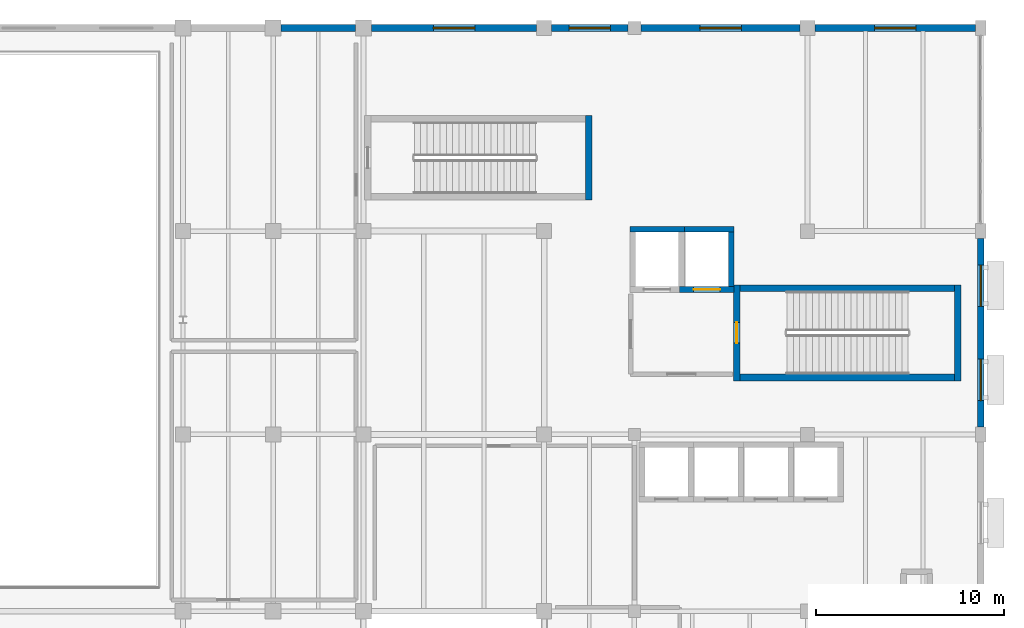
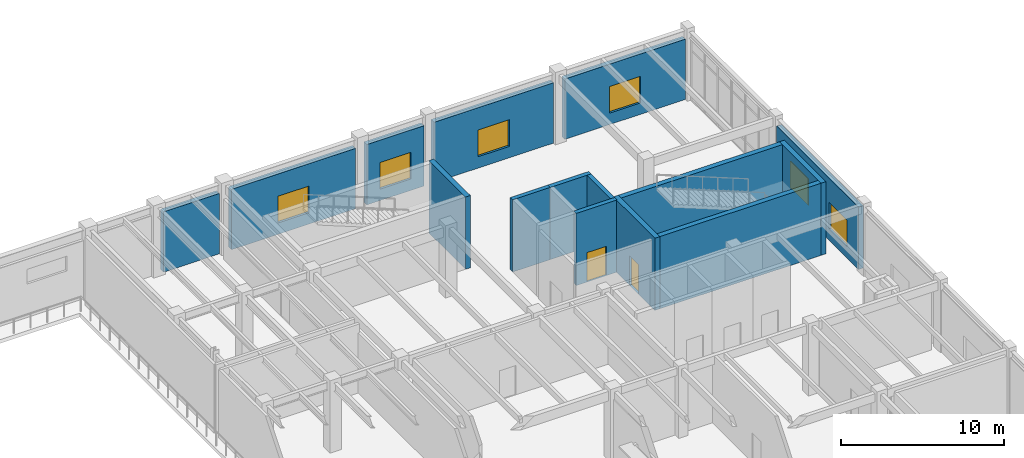
# One storey, part 55 of 72: 15 walls, 6 windows, 2 doors, 8 openings.
"""IFC4 building model written with IfcOpenShell, lengths in metres."""

from ifc_helpers import new_model, si_unit, direction, frame, frame_2d, origin, place, context, subcontext, project, spatial, rectangle, extrude, material, layer, layer_set, type_object, element, fill, save


model = new_model("IFC4")

# Units and contexts
model_context = context("Model", 3, precision=1e-05, world=origin(), true_north=direction((0.0, 1.0)))
body_context = subcontext(model_context, "Body", "Model", "MODEL_VIEW")
ifc_project = project(units=[si_unit("LENGTHUNIT", "METRE"), si_unit("AREAUNIT", "SQUARE_METRE"), si_unit("VOLUMEUNIT", "CUBIC_METRE"), si_unit("PLANEANGLEUNIT", "RADIAN"), si_unit("MASSUNIT", "GRAM", prefix="KILO")], contexts=[model_context])

# Site, building, storey
site_placement = place(None, origin())
site = spatial("IfcSite", under=ifc_project, at=site_placement, CompositionType="ELEMENT")
building_placement = place(site_placement, origin())
building = spatial("IfcBuilding", under=site, at=building_placement, Name="Veldera Park Congress Hotel", CompositionType="ELEMENT")
storey_placement = place(building_placement, frame((0.0, 0.0, 5.39990234375)))
storey = spatial("IfcBuildingStorey", under=building, at=storey_placement, Name="L01", CompositionType="ELEMENT", Elevation=5.39990234375)

# Wall
ifc_material_1 = material(Name="Architectural Sandstone Cladding (ASTM C616)", Category="masonry")
ifc_layer_1 = layer(ifc_material_1, 0.360107421875)
ifc_layer_set_1 = layer_set([ifc_layer_1], Name="Architectural Sandstone Cladding (ASTM C616)")
wall_type_1 = type_object("IfcWallType", Name="EW-STONE360", PredefinedType="STANDARD", material=ifc_layer_set_1)
wall_1_placement = place(storey_placement, frame((50.777099609375, 58.0, 0.0), z_axis=(0.0, 0.0, 1.0), x_axis=(-1.0, 0.0, 0.0)))
element("IfcWall", 1, at=wall_1_placement, inside=storey, type_object=wall_type_1, Name="L01 Exterior Wall EW3-L01-0060", PredefinedType="STANDARD", context=body_context, shape_type="SweptSolid", body=[
    extrude(rectangle(XDim=3.9541015625, YDim=0.360107421875, at=frame_2d((1.97705078125, 0.0))), origin(), (0.0, 0.0, 1.0), 4.51318359375),
])

# Wall, openings, windows
wall_2_placement = place(storey_placement, frame((84.0, 36.798095703125, 0.0), z_axis=(0.0, 0.0, 1.0), x_axis=(0.0, 1.0, 0.0)))
wall_2 = element("IfcWall", 2, at=wall_2_placement, inside=storey, type_object=wall_type_1, Name="L01 Exterior Wall EW3-L01-0155", PredefinedType="STANDARD", context=body_context, shape_type="SweptSolid", body=[
    extrude(rectangle(XDim=10.00390625, YDim=0.360107421875, at=frame_2d((5.001953125, 0.0))), origin(), (0.0, 0.0, 1.0), 4.662109375),
])
opening_1_placement = place(wall_2_placement, frame((1.40087890625, 0.0, 0.85009765625)))
opening_1 = element("IfcOpeningElement", 3, at=opening_1_placement, cuts=wall_2, Name="Opening WIN-2200", PredefinedType="OPENING", context=body_context, shape_type="SweptSolid", body=[
    extrude(rectangle(XDim=2.199951171875, YDim=2.0, at=frame_2d((1.10009765625, 1.0))), frame((0.0, 0.192138671875, 0.0), z_axis=(0.0, -1.0, 0.0), x_axis=(1.0, 0.0, 0.0)), (0.0, 0.0, 1.0), 0.384033203125),
])
opening_2_placement = place(wall_2_placement, frame((6.403076171875, 0.0, 0.85009765625)))
opening_2 = element("IfcOpeningElement", 4, at=opening_2_placement, cuts=wall_2, Name="Opening WIN-2200", PredefinedType="OPENING", context=body_context, shape_type="SweptSolid", body=[
    extrude(rectangle(XDim=2.199951171875, YDim=2.0, at=frame_2d((1.10009765625, 1.0))), frame((0.0, 0.192138671875, 0.0), z_axis=(0.0, -1.0, 0.0), x_axis=(1.0, 0.0, 0.0)), (0.0, 0.0, 1.0), 0.384033203125),
])
ifc_material_2 = material(Name="Low-E Triple Insulating Glass Unit (SHGC 0.22)", Category="glass")
window_type = type_object("IfcWindowType", Name="WIN-2200", PartitioningType="DOUBLE_PANEL_VERTICAL", PredefinedType="WINDOW", material=ifc_material_2)
window_1_placement = place(opening_1_placement, origin())
window_1 = element("IfcWindow", 5, at=window_1_placement, inside=storey, type_object=window_type, Name="L01 Window WIN-2200 160", OverallHeight=2.0, OverallWidth=2.199951171875, PartitioningType="DOUBLE_PANEL_VERTICAL", PredefinedType="WINDOW", context=body_context, shape_type="SweptSolid", body=[
    extrude(rectangle(XDim=2.199951171875, YDim=2.0, at=frame_2d((1.10009765625, 1.0))), frame((0.0, 0.030029296875, 0.0), z_axis=(0.0, -1.0, 0.0), x_axis=(1.0, 0.0, 0.0)), (0.0, 0.0, 1.0), 0.06005859375),
])
fill(opening_1, window_1)
window_2_placement = place(opening_2_placement, origin())
window_2 = element("IfcWindow", 6, at=window_2_placement, inside=storey, type_object=window_type, Name="L01 Window WIN-2200 161", OverallHeight=2.0, OverallWidth=2.199951171875, PartitioningType="DOUBLE_PANEL_VERTICAL", PredefinedType="WINDOW", context=body_context, shape_type="SweptSolid", body=[
    extrude(rectangle(XDim=2.199951171875, YDim=2.0, at=frame_2d((1.10009765625, 1.0))), frame((0.0, 0.030029296875, 0.0), z_axis=(0.0, -1.0, 0.0), x_axis=(1.0, 0.0, 0.0)), (0.0, 0.0, 1.0), 0.06005859375),
])
fill(opening_2, window_2)

# Wall, opening, window
wall_3_placement = place(storey_placement, frame((83.72705078125, 58.0, 0.0), z_axis=(0.0, 0.0, 1.0), x_axis=(-1.0, 0.0, 0.0)))
wall_3 = element("IfcWall", 7, at=wall_3_placement, inside=storey, type_object=wall_type_1, Name="L01 Exterior Wall EW3-L01-0156", PredefinedType="STANDARD", context=body_context, shape_type="SweptSolid", body=[
    extrude(rectangle(XDim=8.529052734375, YDim=0.360107421875, at=frame_2d((4.2646484375, 0.0))), origin(), (0.0, 0.0, 1.0), 4.51318359375),
])
opening_3_placement = place(wall_3_placement, frame((3.16455078125, 0.0, 0.85009765625)))
opening_3 = element("IfcOpeningElement", 8, at=opening_3_placement, cuts=wall_3, Name="Opening WIN-2200", PredefinedType="OPENING", context=body_context, shape_type="SweptSolid", body=[
    extrude(rectangle(XDim=2.199951171875, YDim=2.0, at=frame_2d((1.10009765625, 1.0))), frame((0.0, 0.192138671875, 0.0), z_axis=(0.0, -1.0, 0.0), x_axis=(1.0, 0.0, 0.0)), (0.0, 0.0, 1.0), 0.384033203125),
])
window_3_placement = place(opening_3_placement, origin())
window_3 = element("IfcWindow", 9, at=window_3_placement, inside=storey, type_object=window_type, Name="L01 Window WIN-2200 162", OverallHeight=2.0, OverallWidth=2.199951171875, PartitioningType="DOUBLE_PANEL_VERTICAL", PredefinedType="WINDOW", context=body_context, shape_type="SweptSolid", body=[
    extrude(rectangle(XDim=2.199951171875, YDim=2.0, at=frame_2d((1.10009765625, 1.0))), frame((0.0, 0.030029296875, 0.0), z_axis=(0.0, -1.0, 0.0), x_axis=(1.0, 0.0, 0.0)), (0.0, 0.0, 1.0), 0.06005859375),
])
fill(opening_3, window_3)

wall_4_placement = place(storey_placement, frame((74.402099609375, 58.0, 0.0), z_axis=(0.0, 0.0, 1.0), x_axis=(-1.0, 0.0, 0.0)))
wall_4 = element("IfcWall", 10, at=wall_4_placement, inside=storey, type_object=wall_type_1, Name="L01 Exterior Wall EW3-L01-0157", PredefinedType="STANDARD", context=body_context, shape_type="SweptSolid", body=[
    extrude(rectangle(XDim=8.4541015625, YDim=0.360107421875, at=frame_2d((4.22705078125, 0.0))), origin(), (0.0, 0.0, 1.0), 4.51318359375),
])
opening_4_placement = place(wall_4_placement, frame((3.126953125, 0.0, 0.85009765625)))
opening_4 = element("IfcOpeningElement", 11, at=opening_4_placement, cuts=wall_4, Name="Opening WIN-2200", PredefinedType="OPENING", context=body_context, shape_type="SweptSolid", body=[
    extrude(rectangle(XDim=2.199951171875, YDim=2.0, at=frame_2d((1.10009765625, 1.0))), frame((0.0, 0.192138671875, 0.0), z_axis=(0.0, -1.0, 0.0), x_axis=(1.0, 0.0, 0.0)), (0.0, 0.0, 1.0), 0.384033203125),
])
window_4_placement = place(opening_4_placement, origin())
window_4 = element("IfcWindow", 12, at=window_4_placement, inside=storey, type_object=window_type, Name="L01 Window WIN-2200 163", OverallHeight=2.0, OverallWidth=2.199951171875, PartitioningType="DOUBLE_PANEL_VERTICAL", PredefinedType="WINDOW", context=body_context, shape_type="SweptSolid", body=[
    extrude(rectangle(XDim=2.199951171875, YDim=2.0, at=frame_2d((1.10009765625, 1.0))), frame((0.0, 0.030029296875, 0.0), z_axis=(0.0, -1.0, 0.0), x_axis=(1.0, 0.0, 0.0)), (0.0, 0.0, 1.0), 0.06005859375),
])
fill(opening_4, window_4)

wall_5_placement = place(storey_placement, frame((65.251953125, 58.0, 0.0), z_axis=(0.0, 0.0, 1.0), x_axis=(-1.0, 0.0, 0.0)))
wall_5 = element("IfcWall", 13, at=wall_5_placement, inside=storey, type_object=wall_type_1, Name="L01 Exterior Wall EW3-L01-0158", PredefinedType="STANDARD", context=body_context, shape_type="SweptSolid", body=[
    extrude(rectangle(XDim=4.053955078125, YDim=0.360107421875, at=frame_2d((2.02685546875, 0.0))), origin(), (0.0, 0.0, 1.0), 4.51318359375),
])
opening_5_placement = place(wall_5_placement, frame((0.927001953125, 0.0, 0.85009765625)))
opening_5 = element("IfcOpeningElement", 14, at=opening_5_placement, cuts=wall_5, Name="Opening WIN-2200", PredefinedType="OPENING", context=body_context, shape_type="SweptSolid", body=[
    extrude(rectangle(XDim=2.199951171875, YDim=2.0, at=frame_2d((1.10009765625, 1.0))), frame((0.0, 0.192138671875, 0.0), z_axis=(0.0, -1.0, 0.0), x_axis=(1.0, 0.0, 0.0)), (0.0, 0.0, 1.0), 0.384033203125),
])
window_5_placement = place(opening_5_placement, origin())
window_5 = element("IfcWindow", 15, at=window_5_placement, inside=storey, type_object=window_type, Name="L01 Window WIN-2200 164", OverallHeight=2.0, OverallWidth=2.199951171875, PartitioningType="DOUBLE_PANEL_VERTICAL", PredefinedType="WINDOW", context=body_context, shape_type="SweptSolid", body=[
    extrude(rectangle(XDim=2.199951171875, YDim=2.0, at=frame_2d((1.10009765625, 1.0))), frame((0.0, 0.030029296875, 0.0), z_axis=(0.0, -1.0, 0.0), x_axis=(1.0, 0.0, 0.0)), (0.0, 0.0, 1.0), 0.06005859375),
])
fill(opening_5, window_5)

wall_6_placement = place(storey_placement, frame((60.402099609375, 58.0, 0.0), z_axis=(0.0, 0.0, 1.0), x_axis=(-1.0, 0.0, 0.0)))
wall_6 = element("IfcWall", 16, at=wall_6_placement, inside=storey, type_object=wall_type_1, Name="L01 Exterior Wall EW3-L01-0159", PredefinedType="STANDARD", context=body_context, shape_type="SweptSolid", body=[
    extrude(rectangle(XDim=8.779052734375, YDim=0.360107421875, at=frame_2d((4.3896484375, 0.0))), origin(), (0.0, 0.0, 1.0), 4.51318359375),
])
opening_6_placement = place(wall_6_placement, frame((3.28955078125, 0.0, 0.85009765625)))
opening_6 = element("IfcOpeningElement", 17, at=opening_6_placement, cuts=wall_6, Name="Opening WIN-2200", PredefinedType="OPENING", context=body_context, shape_type="SweptSolid", body=[
    extrude(rectangle(XDim=2.199951171875, YDim=2.0, at=frame_2d((1.10009765625, 1.0))), frame((0.0, 0.192138671875, 0.0), z_axis=(0.0, -1.0, 0.0), x_axis=(1.0, 0.0, 0.0)), (0.0, 0.0, 1.0), 0.384033203125),
])
window_6_placement = place(opening_6_placement, origin())
window_6 = element("IfcWindow", 18, at=window_6_placement, inside=storey, type_object=window_type, Name="L01 Window WIN-2200 165", OverallHeight=2.0, OverallWidth=2.199951171875, PartitioningType="DOUBLE_PANEL_VERTICAL", PredefinedType="WINDOW", context=body_context, shape_type="SweptSolid", body=[
    extrude(rectangle(XDim=2.199951171875, YDim=2.0, at=frame_2d((1.10009765625, 1.0))), frame((0.0, 0.030029296875, 0.0), z_axis=(0.0, -1.0, 0.0), x_axis=(1.0, 0.0, 0.0)), (0.0, 0.0, 1.0), 0.06005859375),
])
fill(opening_6, window_6)

# Walls
ifc_material_3 = material(Name="Concrete f'c 40 MPa (5,800 psi)", Category="concrete")
ifc_layer_2 = layer(ifc_material_3, 0.35009765625)
ifc_layer_set_2 = layer_set([ifc_layer_2], Name="Concrete f'c 40 MPa (5,800 psi)")
wall_type_2 = type_object("IfcWallType", Name="SW-CORE350", PredefinedType="SHEAR", material=ifc_layer_set_2)
wall_7_placement = place(storey_placement, frame((70.85009765625, 39.425048828125, 0.0), z_axis=(0.0, 0.0, 1.0), x_axis=(1.0, 0.0, 0.0)))
element("IfcWall", 19, at=wall_7_placement, inside=storey, type_object=wall_type_2, Name="Stair ST1 Core Wall L01-S", PredefinedType="SHEAR", context=body_context, shape_type="SweptSolid", body=[
    extrude(rectangle(XDim=12.099853515625, YDim=0.35009765625, at=frame_2d((6.0498046875, 0.0))), origin(), (0.0, 0.0, 1.0), 5.400146484375),
])
wall_8_placement = place(storey_placement, frame((82.77490234375, 39.25, 0.0), z_axis=(0.0, 0.0, 1.0), x_axis=(0.0, 1.0, 0.0)))
element("IfcWall", 20, at=wall_8_placement, inside=storey, type_object=wall_type_2, Name="Stair ST1 Core Wall L01-E", PredefinedType="SHEAR", context=body_context, shape_type="SweptSolid", body=[
    extrude(rectangle(XDim=5.10009765625, YDim=0.35009765625, at=frame_2d((2.550048828125, 0.0))), origin(), (0.0, 0.0, 1.0), 5.400146484375),
])
wall_9_placement = place(storey_placement, frame((82.949951171875, 44.175048828125, 0.0), z_axis=(0.0, 0.0, 1.0), x_axis=(-1.0, 0.0, 0.0)))
element("IfcWall", 21, at=wall_9_placement, inside=storey, type_object=wall_type_2, Name="Stair ST1 Core Wall L01-N", PredefinedType="SHEAR", context=body_context, shape_type="SweptSolid", body=[
    extrude(rectangle(XDim=12.099853515625, YDim=0.35009765625, at=frame_2d((6.0498046875, 0.0))), origin(), (0.0, 0.0, 1.0), 5.400146484375),
])

# Wall, opening, door
wall_10_placement = place(storey_placement, frame((71.02490234375, 44.35009765625, 0.0), z_axis=(0.0, 0.0, 1.0), x_axis=(0.0, -1.0, 0.0)))
wall_10 = element("IfcWall", 22, at=wall_10_placement, inside=storey, type_object=wall_type_2, Name="Stair ST1 Core Wall L01-W", PredefinedType="SHEAR", context=body_context, shape_type="SweptSolid", body=[
    extrude(rectangle(XDim=5.10009765625, YDim=0.35009765625, at=frame_2d((2.550048828125, 0.0))), origin(), (0.0, 0.0, 1.0), 5.400146484375),
])
opening_7_placement = place(wall_10_placement, frame((2.0, 0.0, 0.0)))
opening_7 = element("IfcOpeningElement", 23, at=opening_7_placement, cuts=wall_10, Name="Opening ID-STAIR110", PredefinedType="OPENING", context=body_context, shape_type="SweptSolid", body=[
    extrude(rectangle(XDim=1.10009765625, YDim=2.199951171875, at=frame_2d((0.550048828125, 1.10009765625))), frame((0.0, 0.18701171875, 0.0), z_axis=(0.0, -1.0, 0.0), x_axis=(1.0, 0.0, 0.0)), (0.0, 0.0, 1.0), 0.3740234375),
])
ifc_material_4 = material(Name="Hollow Metal Fire-Rated Steel Door", Category="steel")
door_type_1 = type_object("IfcDoorType", Name="ID-STAIR110", OperationType="NOTDEFINED", PredefinedType="DOOR", material=ifc_material_4)
door_1_placement = place(opening_7_placement, origin())
door_1 = element("IfcDoor", 24, at=door_1_placement, inside=storey, type_object=door_type_1, Name="L01 Stair ST1 Fire Door (DR3-SD-ST1-L01)", OperationType="SINGLE_SWING_LEFT", OverallHeight=2.199951171875, OverallWidth=1.10009765625, PredefinedType="DOOR", context=body_context, shape_type="SweptSolid", body=[
    extrude(rectangle(XDim=1.10009765625, YDim=2.199951171875, at=frame_2d((0.550048828125, 1.10009765625))), frame((0.0, 0.02490234375, 0.0), z_axis=(0.0, -1.0, 0.0), x_axis=(1.0, 0.0, 0.0)), (0.0, 0.0, 1.0), 0.050048828125),
])
fill(opening_7, door_1)

# Walls
wall_11_placement = place(storey_placement, frame((63.175048828125, 48.85009765625, 0.0), z_axis=(0.0, 0.0, 1.0), x_axis=(0.0, 1.0, 0.0)))
element("IfcWall", 25, at=wall_11_placement, inside=storey, type_object=wall_type_2, Name="Stair ST3 Core Wall L01-E", PredefinedType="SHEAR", context=body_context, shape_type="SweptSolid", body=[
    extrude(rectangle(XDim=4.5, YDim=0.35009765625, at=frame_2d((2.25, 0.0))), origin(), (0.0, 0.0, 1.0), 5.400146484375),
])
ifc_layer_3 = layer(ifc_material_3, 0.300048828125)
ifc_layer_set_3 = layer_set([ifc_layer_3], Name="Concrete f'c 40 MPa (5,800 psi)")
wall_type_3 = type_object("IfcWallType", Name="SW-SHFT300", PredefinedType="SHEAR", material=ifc_layer_set_3)
wall_12_placement = place(storey_placement, frame((68.25, 47.300048828125, 0.0), z_axis=(0.0, 0.0, 1.0), x_axis=(-1.0, 0.0, 0.0)))
element("IfcWall", 26, at=wall_12_placement, inside=storey, type_object=wall_type_3, Name="Lift FL-01 Shaft Wall L01-N", PredefinedType="SHEAR", context=body_context, shape_type="SweptSolid", body=[
    extrude(rectangle(XDim=2.89990234375, YDim=0.300048828125, at=frame_2d((1.449951171875, 0.0))), origin(), (0.0, 0.0, 1.0), 5.400146484375),
])

# Wall, opening, door
wall_13_placement = place(storey_placement, frame((68.0, 44.10009765625, 0.0), z_axis=(0.0, 0.0, 1.0), x_axis=(1.0, 0.0, 0.0)))
wall_13 = element("IfcWall", 27, at=wall_13_placement, inside=storey, type_object=wall_type_3, Name="Lift FL-02 Shaft Wall L01-S", PredefinedType="SHEAR", context=body_context, shape_type="SweptSolid", body=[
    extrude(rectangle(XDim=2.89990234375, YDim=0.300048828125, at=frame_2d((1.449951171875, 0.0))), origin(), (0.0, 0.0, 1.0), 5.400146484375),
])
opening_8_placement = place(wall_13_placement, frame((0.75, 0.0, 0.0)))
opening_8 = element("IfcOpeningElement", 28, at=opening_8_placement, cuts=wall_13, Name="Opening LD-140", PredefinedType="OPENING", context=body_context, shape_type="SweptSolid", body=[
    extrude(rectangle(XDim=1.39990234375, YDim=2.199951171875, at=frame_2d((0.699951171875, 1.10009765625))), frame((0.0, 0.162109375, 0.0), z_axis=(0.0, -1.0, 0.0), x_axis=(1.0, 0.0, 0.0)), (0.0, 0.0, 1.0), 0.323974609375),
])
door_type_2 = type_object("IfcDoorType", Name="LD-140", OperationType="DOUBLE_DOOR_SLIDING", PredefinedType="DOOR", material=ifc_material_4)
door_2_placement = place(opening_8_placement, origin())
door_2 = element("IfcDoor", 29, at=door_2_placement, inside=storey, type_object=door_type_2, Name="L01 Lift FL-02 Landing Door (DR3-LD-FL-02-L01)", OperationType="DOUBLE_DOOR_SLIDING", OverallHeight=2.199951171875, OverallWidth=1.39990234375, PredefinedType="DOOR", context=body_context, shape_type="SweptSolid", body=[
    extrude(rectangle(XDim=1.39990234375, YDim=2.199951171875, at=frame_2d((0.699951171875, 1.10009765625))), frame((0.0, 0.02490234375, 0.0), z_axis=(0.0, -1.0, 0.0), x_axis=(1.0, 0.0, 0.0)), (0.0, 0.0, 1.0), 0.050048828125),
])
fill(opening_8, door_2)

# Walls
for number, where, z_axis, x_axis, name in (
    (30, (70.89990234375, 47.300048828125, 0.0), (0.0, 0.0, 1.0), (-1.0, 0.0, 0.0), "Lift FL-02 Shaft Wall L01-N"),
    (31, (70.75, 44.25, 0.0), (0.0, 0.0, 1.0), (0.0, 1.0, 0.0), "Lift FL-02 Shaft Wall L01-E"),
):
    element("IfcWall", number, at=place(storey_placement, frame(where, z_axis=z_axis, x_axis=x_axis)), inside=storey, type_object=wall_type_3, Name=name, PredefinedType="SHEAR", context=body_context, shape_type="SweptSolid", body=[
        extrude(rectangle(XDim=2.89990234375, YDim=0.300048828125, at=frame_2d((1.449951171875, 0.0))), origin(), (0.0, 0.0, 1.0), 5.400146484375),
    ])

save(model, "model.ifc")
